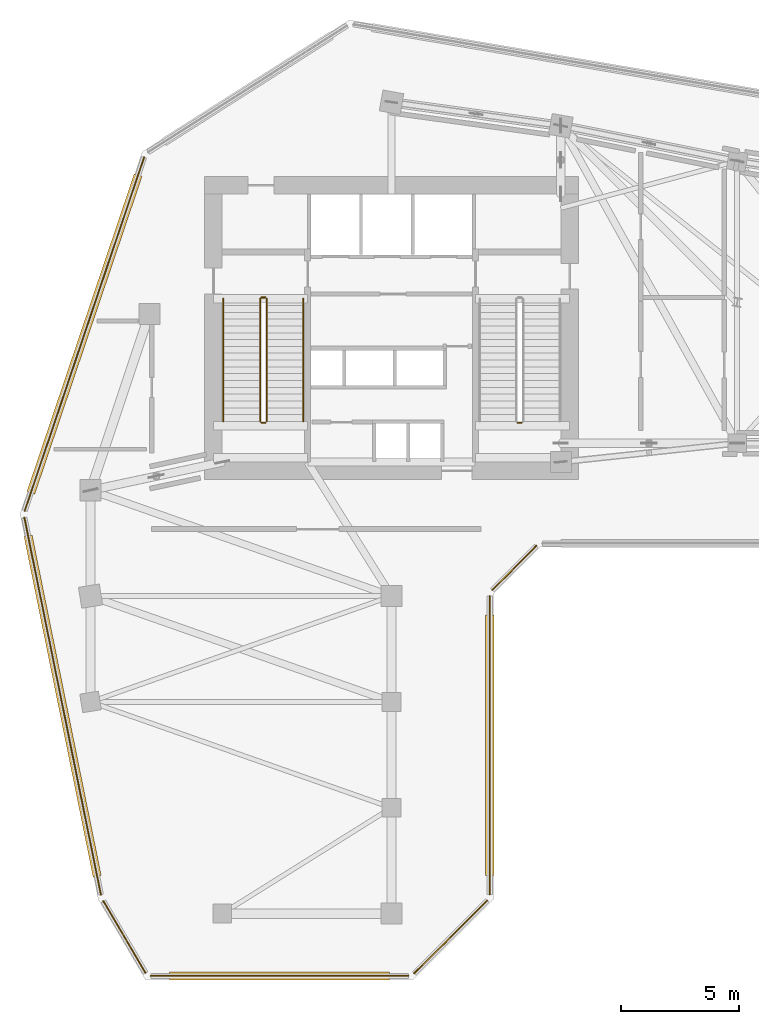
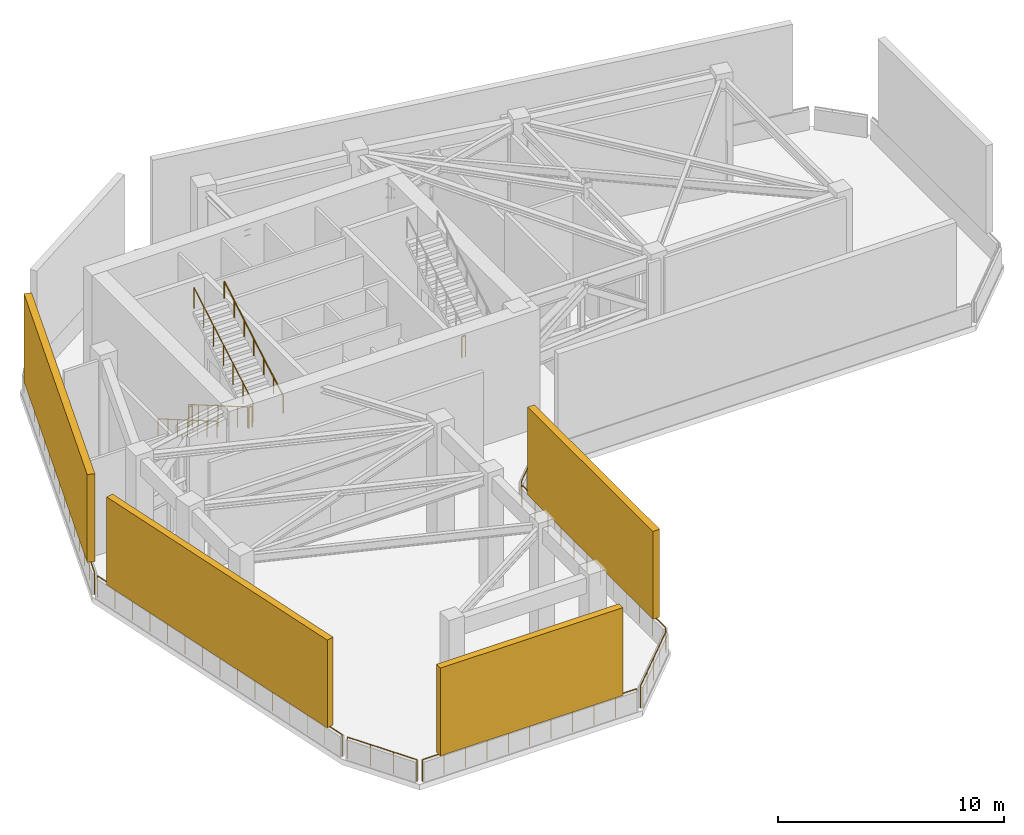
# One storey, part 8 of 10: 14 railings, 4 shading devices.
"""IFC4 building model written with IfcOpenShell, lengths in metres."""

from ifc_helpers import new_model, si_unit, direction, frame, frame_2d, origin, origin_2d, place, context, subcontext, project, spatial, rectangle, circle, extrude, material, type_object, element, save


model = new_model("IFC4")

# Units and contexts
model_context = context("Model", 3, precision=1e-05, world=origin(), true_north=direction((0.0, 1.0)))
body_context = subcontext(model_context, "Body", "Model", "MODEL_VIEW")
ifc_project = project(units=[si_unit("LENGTHUNIT", "METRE"), si_unit("AREAUNIT", "SQUARE_METRE"), si_unit("VOLUMEUNIT", "CUBIC_METRE"), si_unit("PLANEANGLEUNIT", "RADIAN"), si_unit("MASSUNIT", "GRAM", prefix="KILO")], contexts=[model_context])

# Site, building, storey
site_placement = place(None, origin())
site = spatial("IfcSite", under=ifc_project, at=site_placement, CompositionType="ELEMENT")
building_placement = place(site_placement, origin())
building = spatial("IfcBuilding", under=site, at=building_placement, Name="Calvemar Wedge Station Tower", CompositionType="ELEMENT")
storey_placement = place(building_placement, frame((0.0, 0.0, 171.800048828125)))
storey = spatial("IfcBuildingStorey", under=building, at=storey_placement, Name="L43", CompositionType="ELEMENT", Elevation=171.800048828125)

# Railings
ifc_material_1 = material(Name="Stainless steel AISI 316L", Category="steel")
railing_type_1 = type_object("IfcRailingType", Name="GRD-WIND-1200", PredefinedType="GUARDRAIL", material=ifc_material_1)
railing_1_placement = place(storey_placement, frame((11.546142578125, 15.525146484375, 0.0)))
element("IfcRailing", 1, at=railing_1_placement, inside=storey, type_object=railing_type_1, Name="Wind Floor L43 Perimeter Safety Guard 1", PredefinedType="GUARDRAIL", context=body_context, shape_type="SweptSolid", body=[
    extrude(circle(Radius=0.02392578125, at=origin_2d()), frame((0.0, 0.0, 1.17578125), z_axis=(0.506977855332, -0.861959079193, 0.0), x_axis=(0.861959079193, 0.506977855332, 0.0)), (0.0, 0.0, 1.0), 3.53369140625),
    extrude(circle(Radius=0.02099609375, at=origin_2d()), origin(), (0.0, 0.0, 1.0), 1.15185546875),
    extrude(circle(Radius=0.02099609375, at=origin_2d()), frame((0.59716796875, -1.015380859375, 0.0)), (0.0, 0.0, 1.0), 1.15185546875),
    extrude(circle(Radius=0.02099609375, at=origin_2d()), frame((1.1943359375, -2.030517578125, 0.0)), (0.0, 0.0, 1.0), 1.15185546875),
    extrude(circle(Radius=0.02099609375, at=origin_2d()), frame((1.79150390625, -3.0458984375, 0.0)), (0.0, 0.0, 1.0), 1.15185546875),
])
railing_2_placement = place(storey_placement, frame((13.563720703125, 12.35009765625, 0.0)))
element("IfcRailing", 2, at=railing_2_placement, inside=storey, type_object=railing_type_1, Name="Wind Floor L43 Perimeter Safety Guard 2", PredefinedType="GUARDRAIL", context=body_context, shape_type="SweptSolid", body=[
    extrude(circle(Radius=0.02392578125, at=origin_2d()), frame((0.0, 0.0, 1.17578125), z_axis=(1.0, 0.0, 0.0), x_axis=(0.0, 1.0, 0.0)), (0.0, 0.0, 1.0), 10.9521484375),
    extrude(circle(Radius=0.02099609375, at=origin_2d()), origin(), (0.0, 0.0, 1.0), 1.15185546875),
    extrude(circle(Radius=0.02099609375, at=origin_2d()), frame((1.09521484375, 0.0, 0.0)), (0.0, 0.0, 1.0), 1.15185546875),
    extrude(circle(Radius=0.02099609375, at=origin_2d()), frame((2.1904296875, 0.0, 0.0)), (0.0, 0.0, 1.0), 1.15185546875),
    extrude(circle(Radius=0.02099609375, at=origin_2d()), frame((3.28564453125, 0.0, 0.0)), (0.0, 0.0, 1.0), 1.15185546875),
    extrude(circle(Radius=0.02099609375, at=origin_2d()), frame((4.380859375, 0.0, 0.0)), (0.0, 0.0, 1.0), 1.15185546875),
    extrude(circle(Radius=0.02099609375, at=origin_2d()), frame((5.47607421875, 0.0, 0.0)), (0.0, 0.0, 1.0), 1.15185546875),
    extrude(circle(Radius=0.02099609375, at=origin_2d()), frame((6.5712890625, 0.0, 0.0)), (0.0, 0.0, 1.0), 1.15185546875),
    extrude(circle(Radius=0.02099609375, at=origin_2d()), frame((7.66650390625, 0.0, 0.0)), (0.0, 0.0, 1.0), 1.15185546875),
    extrude(circle(Radius=0.02099609375, at=origin_2d()), frame((8.76171875, 0.0, 0.0)), (0.0, 0.0, 1.0), 1.15185546875),
    extrude(circle(Radius=0.02099609375, at=origin_2d()), frame((9.85693359375, 0.0, 0.0)), (0.0, 0.0, 1.0), 1.15185546875),
    extrude(circle(Radius=0.02099609375, at=origin_2d()), frame((10.9521484375, 0.0, 0.0)), (0.0, 0.0, 1.0), 1.15185546875),
])
railing_3_placement = place(storey_placement, frame((24.77197265625, 12.4560546875, 0.0)))
element("IfcRailing", 3, at=railing_3_placement, inside=storey, type_object=railing_type_1, Name="Wind Floor L43 Perimeter Safety Guard 3", PredefinedType="GUARDRAIL", context=body_context, shape_type="SweptSolid", body=[
    extrude(circle(Radius=0.02392578125, at=origin_2d()), frame((0.0, 0.0, 1.17578125), z_axis=(0.707078936308, 0.707134624969, 0.0), x_axis=(-0.707134624969, 0.707078936308, 0.0)), (0.0, 0.0, 1.0), 4.384033203125),
    extrude(circle(Radius=0.02099609375, at=origin_2d()), origin(), (0.0, 0.0, 1.0), 1.15185546875),
    extrude(circle(Radius=0.02099609375, at=origin_2d()), frame((0.77490234375, 0.77490234375, 0.0)), (0.0, 0.0, 1.0), 1.15185546875),
    extrude(circle(Radius=0.02099609375, at=origin_2d()), frame((1.5498046875, 1.550048828125, 0.0)), (0.0, 0.0, 1.0), 1.15185546875),
    extrude(circle(Radius=0.02099609375, at=origin_2d()), frame((2.324951171875, 2.3251953125, 0.0)), (0.0, 0.0, 1.0), 1.15185546875),
    extrude(circle(Radius=0.02099609375, at=origin_2d()), frame((3.099853515625, 3.10009765625, 0.0)), (0.0, 0.0, 1.0), 1.15185546875),
])
railing_4_placement = place(storey_placement, frame((27.97802734375, 15.81201171875, 0.0)))
element("IfcRailing", 4, at=railing_4_placement, inside=storey, type_object=railing_type_1, Name="Wind Floor L43 Perimeter Safety Guard 4", PredefinedType="GUARDRAIL", context=body_context, shape_type="SweptSolid", body=[
    extrude(circle(Radius=0.02392578125, at=origin_2d()), frame((0.0, 0.0, 1.17578125), z_axis=(0.0, 1.0, 0.0), x_axis=(-1.0, 0.0, 0.0)), (0.0, 0.0, 1.0), 12.692138671875),
    extrude(circle(Radius=0.02099609375, at=origin_2d()), origin(), (0.0, 0.0, 1.0), 1.15185546875),
    extrude(circle(Radius=0.02099609375, at=origin_2d()), frame((0.0, 1.15380859375, 0.0)), (0.0, 0.0, 1.0), 1.15185546875),
    extrude(circle(Radius=0.02099609375, at=origin_2d()), frame((0.0, 2.3076171875, 0.0)), (0.0, 0.0, 1.0), 1.15185546875),
    extrude(circle(Radius=0.02099609375, at=origin_2d()), frame((0.0, 3.46142578125, 0.0)), (0.0, 0.0, 1.0), 1.15185546875),
    extrude(circle(Radius=0.02099609375, at=origin_2d()), frame((0.0, 4.615234375, 0.0)), (0.0, 0.0, 1.0), 1.15185546875),
    extrude(circle(Radius=0.02099609375, at=origin_2d()), frame((0.0, 5.76904296875, 0.0)), (0.0, 0.0, 1.0), 1.15185546875),
    extrude(circle(Radius=0.02099609375, at=origin_2d()), frame((0.0, 6.923095703125, 0.0)), (0.0, 0.0, 1.0), 1.15185546875),
    extrude(circle(Radius=0.02099609375, at=origin_2d()), frame((0.0, 8.076904296875, 0.0)), (0.0, 0.0, 1.0), 1.15185546875),
    extrude(circle(Radius=0.02099609375, at=origin_2d()), frame((0.0, 9.230712890625, 0.0)), (0.0, 0.0, 1.0), 1.15185546875),
    extrude(circle(Radius=0.02099609375, at=origin_2d()), frame((0.0, 10.384521484375, 0.0)), (0.0, 0.0, 1.0), 1.15185546875),
    extrude(circle(Radius=0.02099609375, at=origin_2d()), frame((0.0, 11.538330078125, 0.0)), (0.0, 0.0, 1.0), 1.15185546875),
    extrude(circle(Radius=0.02099609375, at=origin_2d()), frame((0.0, 12.692138671875, 0.0)), (0.0, 0.0, 1.0), 1.15185546875),
])
railing_5_placement = place(storey_placement, frame((28.083984375, 28.76025390625, 0.0)))
element("IfcRailing", 5, at=railing_5_placement, inside=storey, type_object=railing_type_1, Name="Wind Floor L43 Perimeter Safety Guard 5", PredefinedType="GUARDRAIL", context=body_context, shape_type="SweptSolid", body=[
    extrude(circle(Radius=0.02392578125, at=origin_2d()), frame((0.0, 0.0, 1.17578125), z_axis=(0.707106781187, 0.707106781187, 0.0), x_axis=(-0.707106781187, 0.707106781187, 0.0)), (0.0, 0.0, 1.0), 2.652587890625),
    extrude(circle(Radius=0.02099609375, at=origin_2d()), origin(), (0.0, 0.0, 1.0), 1.15185546875),
    extrude(circle(Radius=0.02099609375, at=origin_2d()), frame((0.625244140625, 0.625244140625, 0.0)), (0.0, 0.0, 1.0), 1.15185546875),
    extrude(circle(Radius=0.02099609375, at=origin_2d()), frame((1.25048828125, 1.25048828125, 0.0)), (0.0, 0.0, 1.0), 1.15185546875),
    extrude(circle(Radius=0.02099609375, at=origin_2d()), frame((1.875732421875, 1.875732421875, 0.0)), (0.0, 0.0, 1.0), 1.15185546875),
])
railing_6_placement = place(storey_placement, frame((13.277099609375, 47.15966796875, 0.0)))
element("IfcRailing", 6, at=railing_6_placement, inside=storey, type_object=railing_type_1, Name="Wind Floor L43 Perimeter Safety Guard 12", PredefinedType="GUARDRAIL", context=body_context, shape_type="SweptSolid", body=[
    extrude(circle(Radius=0.02392578125, at=origin_2d()), frame((0.0, 0.0, 1.17578125), z_axis=(-0.31991959002, -0.947444698081, 0.0), x_axis=(0.947444698081, -0.31991959002, 0.0)), (0.0, 0.0, 1.0), 15.86083984375),
    extrude(circle(Radius=0.02099609375, at=origin_2d()), origin(), (0.0, 0.0, 1.0), 1.15185546875),
    extrude(circle(Radius=0.02099609375, at=origin_2d()), frame((-0.362548828125, -1.073486328125, 0.0)), (0.0, 0.0, 1.0), 1.15185546875),
    extrude(circle(Radius=0.02099609375, at=origin_2d()), frame((-0.724853515625, -2.146728515625, 0.0)), (0.0, 0.0, 1.0), 1.15185546875),
    extrude(circle(Radius=0.02099609375, at=origin_2d()), frame((-1.08740234375, -3.22021484375, 0.0)), (0.0, 0.0, 1.0), 1.15185546875),
    extrude(circle(Radius=0.02099609375, at=origin_2d()), frame((-1.44970703125, -4.29345703125, 0.0)), (0.0, 0.0, 1.0), 1.15185546875),
    extrude(circle(Radius=0.02099609375, at=origin_2d()), frame((-1.812255859375, -5.366943359375, 0.0)), (0.0, 0.0, 1.0), 1.15185546875),
    extrude(circle(Radius=0.02099609375, at=origin_2d()), frame((-2.174560546875, -6.440185546875, 0.0)), (0.0, 0.0, 1.0), 1.15185546875),
    extrude(circle(Radius=0.02099609375, at=origin_2d()), frame((-2.537109375, -7.513671875, 0.0)), (0.0, 0.0, 1.0), 1.15185546875),
    extrude(circle(Radius=0.02099609375, at=origin_2d()), frame((-2.899658203125, -8.587158203125, 0.0)), (0.0, 0.0, 1.0), 1.15185546875),
    extrude(circle(Radius=0.02099609375, at=origin_2d()), frame((-3.261962890625, -9.660400390625, 0.0)), (0.0, 0.0, 1.0), 1.15185546875),
    extrude(circle(Radius=0.02099609375, at=origin_2d()), frame((-3.62451171875, -10.73388671875, 0.0)), (0.0, 0.0, 1.0), 1.15185546875),
    extrude(circle(Radius=0.02099609375, at=origin_2d()), frame((-3.98681640625, -11.80712890625, 0.0)), (0.0, 0.0, 1.0), 1.15185546875),
    extrude(circle(Radius=0.02099609375, at=origin_2d()), frame((-4.349365234375, -12.880615234375, 0.0)), (0.0, 0.0, 1.0), 1.15185546875),
    extrude(circle(Radius=0.02099609375, at=origin_2d()), frame((-4.711669921875, -13.953857421875, 0.0)), (0.0, 0.0, 1.0), 1.15185546875),
    extrude(circle(Radius=0.02099609375, at=origin_2d()), frame((-5.07421875, -15.02734375, 0.0)), (0.0, 0.0, 1.0), 1.15185546875),
])
railing_7_placement = place(storey_placement, frame((8.184814453125, 31.84326171875, 0.0)))
element("IfcRailing", 7, at=railing_7_placement, inside=storey, type_object=railing_type_1, Name="Wind Floor L43 Perimeter Safety Guard 13", PredefinedType="GUARDRAIL", context=body_context, shape_type="SweptSolid", body=[
    extrude(circle(Radius=0.02392578125, at=origin_2d()), frame((0.0, 0.0, 1.17578125), z_axis=(0.198877512886, -0.980024354222, 0.0), x_axis=(0.980024354222, 0.198877512886, 0.0)), (0.0, 0.0, 1.0), 16.36865234375),
    extrude(circle(Radius=0.02099609375, at=origin_2d()), origin(), (0.0, 0.0, 1.0), 1.15185546875),
    extrude(circle(Radius=0.02099609375, at=origin_2d()), frame((0.232421875, -1.145751953125, 0.0)), (0.0, 0.0, 1.0), 1.15185546875),
    extrude(circle(Radius=0.02099609375, at=origin_2d()), frame((0.465087890625, -2.291748046875, 0.0)), (0.0, 0.0, 1.0), 1.15185546875),
    extrude(circle(Radius=0.02099609375, at=origin_2d()), frame((0.697509765625, -3.4375, 0.0)), (0.0, 0.0, 1.0), 1.15185546875),
    extrude(circle(Radius=0.02099609375, at=origin_2d()), frame((0.93017578125, -4.583251953125, 0.0)), (0.0, 0.0, 1.0), 1.15185546875),
    extrude(circle(Radius=0.02099609375, at=origin_2d()), frame((1.16259765625, -5.729248046875, 0.0)), (0.0, 0.0, 1.0), 1.15185546875),
    extrude(circle(Radius=0.02099609375, at=origin_2d()), frame((1.395263671875, -6.875, 0.0)), (0.0, 0.0, 1.0), 1.15185546875),
    extrude(circle(Radius=0.02099609375, at=origin_2d()), frame((1.627685546875, -8.02099609375, 0.0)), (0.0, 0.0, 1.0), 1.15185546875),
    extrude(circle(Radius=0.02099609375, at=origin_2d()), frame((1.860107421875, -9.166748046875, 0.0)), (0.0, 0.0, 1.0), 1.15185546875),
    extrude(circle(Radius=0.02099609375, at=origin_2d()), frame((2.0927734375, -10.3125, 0.0)), (0.0, 0.0, 1.0), 1.15185546875),
    extrude(circle(Radius=0.02099609375, at=origin_2d()), frame((2.3251953125, -11.45849609375, 0.0)), (0.0, 0.0, 1.0), 1.15185546875),
    extrude(circle(Radius=0.02099609375, at=origin_2d()), frame((2.557861328125, -12.604248046875, 0.0)), (0.0, 0.0, 1.0), 1.15185546875),
    extrude(circle(Radius=0.02099609375, at=origin_2d()), frame((2.790283203125, -13.75, 0.0)), (0.0, 0.0, 1.0), 1.15185546875),
    extrude(circle(Radius=0.02099609375, at=origin_2d()), frame((3.02294921875, -14.89599609375, 0.0)), (0.0, 0.0, 1.0), 1.15185546875),
    extrude(circle(Radius=0.02099609375, at=origin_2d()), frame((3.25537109375, -16.041748046875, 0.0)), (0.0, 0.0, 1.0), 1.15185546875),
])
railing_type_2 = type_object("IfcRailingType", Name="RL-HANDRAIL-920", PredefinedType="HANDRAIL", material=ifc_material_1)
railing_8_placement = place(storey_placement, frame((16.64990234375, 41.14990234375, 0.16845703125)))
element("IfcRailing", 8, at=railing_8_placement, inside=storey, type_object=railing_type_2, Name="L43 ST-C1 stair handrail 1", PredefinedType="HANDRAIL", context=body_context, shape_type="SweptSolid", body=[
    extrude(circle(Radius=0.02392578125, at=origin_2d()), frame((0.0, 0.0, 0.89599609375), z_axis=(0.0, -0.864749852614, 0.5022028399), x_axis=(1.0, 0.0, 0.0)), (0.0, 0.0, 1.0), 6.036376953125),
    extrude(circle(Radius=0.02099609375, at=origin_2d()), origin(), (0.0, 0.0, 1.0), 0.871826171875),
    extrude(circle(Radius=0.02099609375, at=origin_2d()), frame((0.0, -0.8701171875, 0.50537109375)), (0.0, 0.0, 1.0), 0.871826171875),
    extrude(circle(Radius=0.02099609375, at=origin_2d()), frame((0.0, -1.739990234375, 1.010498046875)), (0.0, 0.0, 1.0), 0.871826171875),
    extrude(circle(Radius=0.02099609375, at=origin_2d()), frame((0.0, -2.60986328125, 1.515625)), (0.0, 0.0, 1.0), 0.871826171875),
    extrude(circle(Radius=0.02099609375, at=origin_2d()), frame((0.0, -3.47998046875, 2.02099609375)), (0.0, 0.0, 1.0), 0.871826171875),
    extrude(circle(Radius=0.02099609375, at=origin_2d()), frame((0.0, -4.35009765625, 2.5263671875)), (0.0, 0.0, 1.0), 0.871826171875),
    extrude(circle(Radius=0.02099609375, at=origin_2d()), frame((0.0, -5.219970703125, 3.031494140625)), (0.0, 0.0, 1.0), 0.871826171875),
])
railing_9_placement = place(storey_placement, frame((20.050048828125, 35.929931640625, 3.368408203125)))
element("IfcRailing", 9, at=railing_9_placement, inside=storey, type_object=railing_type_2, Name="L43 ST-C1 stair handrail 2", PredefinedType="HANDRAIL", context=body_context, shape_type="SweptSolid", body=[
    extrude(circle(Radius=0.02392578125, at=origin_2d()), frame((0.0, 0.0, 0.89599609375), z_axis=(0.0, 0.864749852614, 0.5022028399), x_axis=(-1.0, 0.0, 0.0)), (0.0, 0.0, 1.0), 6.036376953125),
    extrude(circle(Radius=0.02099609375, at=origin_2d()), origin(), (0.0, 0.0, 1.0), 0.871826171875),
    extrude(circle(Radius=0.02099609375, at=origin_2d()), frame((0.0, 0.8701171875, 0.50537109375)), (0.0, 0.0, 1.0), 0.871826171875),
    extrude(circle(Radius=0.02099609375, at=origin_2d()), frame((0.0, 1.739990234375, 1.010498046875)), (0.0, 0.0, 1.0), 0.871826171875),
    extrude(circle(Radius=0.02099609375, at=origin_2d()), frame((0.0, 2.60986328125, 1.515625)), (0.0, 0.0, 1.0), 0.871826171875),
    extrude(circle(Radius=0.02099609375, at=origin_2d()), frame((0.0, 3.47998046875, 2.02099609375)), (0.0, 0.0, 1.0), 0.871826171875),
    extrude(circle(Radius=0.02099609375, at=origin_2d()), frame((0.0, 4.35009765625, 2.5263671875)), (0.0, 0.0, 1.0), 0.871826171875),
    extrude(circle(Radius=0.02099609375, at=origin_2d()), frame((0.0, 5.219970703125, 3.031494140625)), (0.0, 0.0, 1.0), 0.871826171875),
])
ifc_material_2 = material(Name="Painted steel guardrail ASTM A500 Grade C", Category="steel")
railing_type_3 = type_object("IfcRailingType", Name="RL-STAIR-GUARD-1150", PredefinedType="GUARDRAIL", material=ifc_material_2)
railing_10_placement = place(storey_placement, frame((18.2099609375, 41.14990234375, 0.16845703125)))
element("IfcRailing", 10, at=railing_10_placement, inside=storey, type_object=railing_type_3, Name="L43 ST-C1 stair guard 1", PredefinedType="GUARDRAIL", context=body_context, shape_type="SweptSolid", body=[
    extrude(circle(Radius=0.02392578125, at=origin_2d()), frame((0.0, 0.0, 1.1259765625), z_axis=(0.0, -0.864749852614, 0.5022028399), x_axis=(1.0, 0.0, 0.0)), (0.0, 0.0, 1.0), 6.036376953125),
    extrude(circle(Radius=0.02099609375, at=origin_2d()), origin(), (0.0, 0.0, 1.0), 1.101806640625),
    extrude(circle(Radius=0.02099609375, at=origin_2d()), frame((0.0, -0.8701171875, 0.50537109375)), (0.0, 0.0, 1.0), 1.101806640625),
    extrude(circle(Radius=0.02099609375, at=origin_2d()), frame((0.0, -1.739990234375, 1.010498046875)), (0.0, 0.0, 1.0), 1.101806640625),
    extrude(circle(Radius=0.02099609375, at=origin_2d()), frame((0.0, -2.60986328125, 1.515625)), (0.0, 0.0, 1.0), 1.101806640625),
    extrude(circle(Radius=0.02099609375, at=origin_2d()), frame((0.0, -3.47998046875, 2.02099609375)), (0.0, 0.0, 1.0), 1.101806640625),
    extrude(circle(Radius=0.02099609375, at=origin_2d()), frame((0.0, -4.35009765625, 2.5263671875)), (0.0, 0.0, 1.0), 1.101806640625),
    extrude(circle(Radius=0.02099609375, at=origin_2d()), frame((0.0, -5.219970703125, 3.031494140625)), (0.0, 0.0, 1.0), 1.101806640625),
])
railing_11_placement = place(storey_placement, frame((18.260009765625, 35.8798828125, 3.199951171875)))
element("IfcRailing", 11, at=railing_11_placement, inside=storey, type_object=railing_type_3, Name="L43 ST-C1 stair guard 2", PredefinedType="GUARDRAIL", context=body_context, shape_type="SweptSolid", body=[
    extrude(circle(Radius=0.02392578125, at=origin_2d()), frame((0.0, 0.0, 1.1259765625), z_axis=(1.0, 0.0, 0.0), x_axis=(0.0, 1.0, 0.0)), (0.0, 0.0, 1.0), 0.179931640625),
    extrude(circle(Radius=0.02099609375, at=origin_2d()), origin(), (0.0, 0.0, 1.0), 1.101806640625),
    extrude(circle(Radius=0.02099609375, at=origin_2d()), frame((0.179931640625, 0.0, 0.0)), (0.0, 0.0, 1.0), 1.101806640625),
])
railing_12_placement = place(storey_placement, frame((18.489990234375, 35.929931640625, 3.368408203125)))
element("IfcRailing", 12, at=railing_12_placement, inside=storey, type_object=railing_type_3, Name="L43 ST-C1 stair guard 3", PredefinedType="GUARDRAIL", context=body_context, shape_type="SweptSolid", body=[
    extrude(circle(Radius=0.02392578125, at=origin_2d()), frame((0.0, 0.0, 1.1259765625), z_axis=(0.0, 0.864749852614, 0.5022028399), x_axis=(-1.0, 0.0, 0.0)), (0.0, 0.0, 1.0), 6.036376953125),
    extrude(circle(Radius=0.02099609375, at=origin_2d()), origin(), (0.0, 0.0, 1.0), 1.101806640625),
    extrude(circle(Radius=0.02099609375, at=origin_2d()), frame((0.0, 0.8701171875, 0.50537109375)), (0.0, 0.0, 1.0), 1.101806640625),
    extrude(circle(Radius=0.02099609375, at=origin_2d()), frame((0.0, 1.739990234375, 1.010498046875)), (0.0, 0.0, 1.0), 1.101806640625),
    extrude(circle(Radius=0.02099609375, at=origin_2d()), frame((0.0, 2.60986328125, 1.515625)), (0.0, 0.0, 1.0), 1.101806640625),
    extrude(circle(Radius=0.02099609375, at=origin_2d()), frame((0.0, 3.47998046875, 2.02099609375)), (0.0, 0.0, 1.0), 1.101806640625),
    extrude(circle(Radius=0.02099609375, at=origin_2d()), frame((0.0, 4.35009765625, 2.5263671875)), (0.0, 0.0, 1.0), 1.101806640625),
    extrude(circle(Radius=0.02099609375, at=origin_2d()), frame((0.0, 5.219970703125, 3.031494140625)), (0.0, 0.0, 1.0), 1.101806640625),
])
railing_13_placement = place(storey_placement, frame((18.260009765625, 41.199951171875, 0.0)))
element("IfcRailing", 13, at=railing_13_placement, inside=storey, type_object=railing_type_3, Name="L43 ST-C1 stair guard 4", PredefinedType="GUARDRAIL", context=body_context, shape_type="SweptSolid", body=[
    extrude(circle(Radius=0.02392578125, at=origin_2d()), frame((0.0, 0.0, 1.1259765625), z_axis=(1.0, 0.0, 0.0), x_axis=(0.0, 1.0, 0.0)), (0.0, 0.0, 1.0), 0.179931640625),
    extrude(circle(Radius=0.02099609375, at=origin_2d()), origin(), (0.0, 0.0, 1.0), 1.101806640625),
    extrude(circle(Radius=0.02099609375, at=origin_2d()), frame((0.179931640625, 0.0, 0.0)), (0.0, 0.0, 1.0), 1.101806640625),
])
railing_14_placement = place(storey_placement, frame((29.159912109375, 35.8798828125, 3.199951171875)))
element("IfcRailing", 14, at=railing_14_placement, inside=storey, type_object=railing_type_3, Name="L43 ST-C2 stair guard 2", PredefinedType="GUARDRAIL", context=body_context, shape_type="SweptSolid", body=[
    extrude(circle(Radius=0.02392578125, at=origin_2d()), frame((0.0, 0.0, 1.1259765625), z_axis=(1.0, 0.0, 0.0), x_axis=(0.0, 1.0, 0.0)), (0.0, 0.0, 1.0), 0.18017578125),
    extrude(circle(Radius=0.02099609375, at=origin_2d()), origin(), (0.0, 0.0, 1.0), 1.101806640625),
    extrude(circle(Radius=0.02099609375, at=origin_2d()), frame((0.18017578125, 0.0, 0.0)), (0.0, 0.0, 1.0), 1.101806640625),
])

# Shading devices
ifc_material_3 = material(Name="Anodised aluminium 6063-T6", Category="aluminium")
shading_device_type = type_object("IfcShadingDeviceType", Name="SHD-LOUVRE-1", PredefinedType="JALOUSIE", material=ifc_material_3)
shading_device_1_placement = place(storey_placement, frame((14.36376953125, 12.35009765625, 1.199951171875), z_axis=(0.0, 0.0, 1.0), x_axis=(1.0, 0.0, 0.0)))
element("IfcShadingDevice", 15, at=shading_device_1_placement, inside=storey, type_object=shading_device_type, Name="Wind Floor L43 Jalousie Intake Louvre 2", PredefinedType="JALOUSIE", context=body_context, shape_type="SweptSolid", body=[
    extrude(rectangle(XDim=9.35205078125, YDim=0.35009765625, at=frame_2d((4.676025390625, 0.0))), origin(), (0.0, 0.0, 1.0), 4.75),
])
shading_device_2_placement = place(storey_placement, frame((27.97802734375, 16.612060546875, 1.199951171875), z_axis=(0.0, 0.0, 1.0), x_axis=(0.0, 1.0, 0.0)))
element("IfcShadingDevice", 16, at=shading_device_2_placement, inside=storey, type_object=shading_device_type, Name="Wind Floor L43 Jalousie Intake Louvre 4", PredefinedType="JALOUSIE", context=body_context, shape_type="SweptSolid", body=[
    extrude(rectangle(XDim=11.092041015625, YDim=0.35009765625, at=frame_2d((5.5458984375, 0.0))), origin(), (0.0, 0.0, 1.0), 4.75),
])
shading_device_3_placement = place(storey_placement, frame((13.021240234375, 46.401611328125, 1.199951171875), z_axis=(0.0, 0.0, 1.0), x_axis=(-0.319918115973, -0.947445195815, 0.0)))
element("IfcShadingDevice", 17, at=shading_device_3_placement, inside=storey, type_object=shading_device_type, Name="Wind Floor L43 Jalousie Intake Louvre 12", PredefinedType="JALOUSIE", context=body_context, shape_type="SweptSolid", body=[
    extrude(rectangle(XDim=14.2607421875, YDim=0.35009765625, at=frame_2d((7.13037109375, 0.0))), origin(), (0.0, 0.0, 1.0), 4.75),
])
shading_device_4_placement = place(storey_placement, frame((8.343994140625, 31.059326171875, 1.199951171875), z_axis=(0.0, 0.0, 1.0), x_axis=(0.198865194448, -0.980026853937, 0.0)))
element("IfcShadingDevice", 18, at=shading_device_4_placement, inside=storey, type_object=shading_device_type, Name="Wind Floor L43 Jalousie Intake Louvre 13", PredefinedType="JALOUSIE", context=body_context, shape_type="SweptSolid", body=[
    extrude(rectangle(XDim=14.768798828125, YDim=0.35009765625, at=frame_2d((7.38427734375, 0.0))), origin(), (0.0, 0.0, 1.0), 4.75),
])

save(model, "model.ifc")
